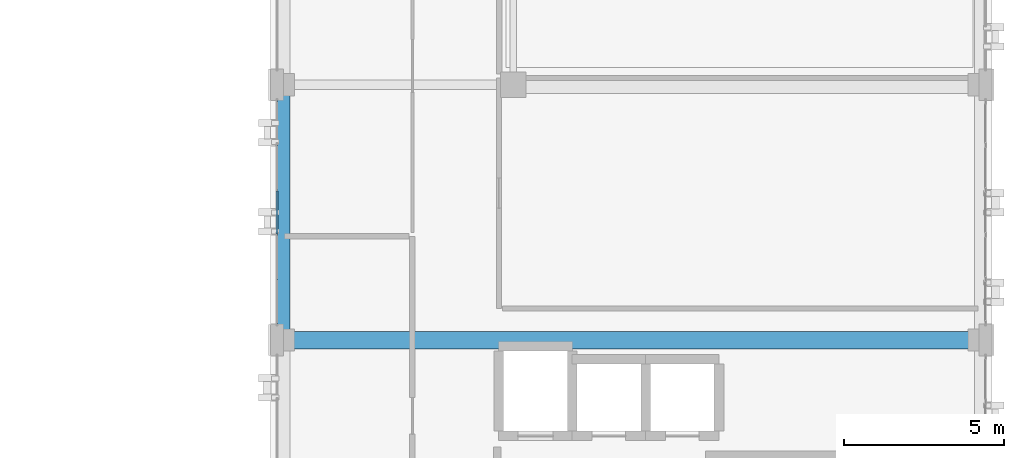
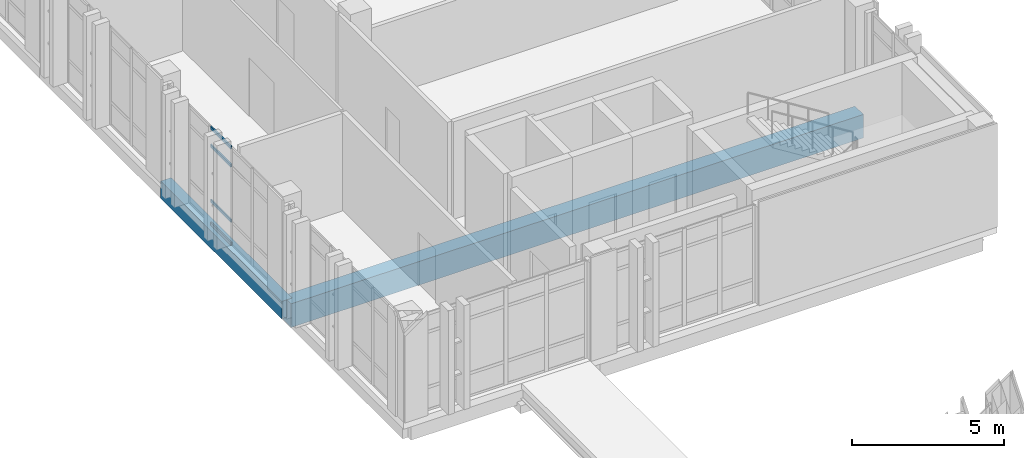
# One storey, part 56 of 158: 4 members, 2 beams, 1 element without a shape of its own.
"""IFC4 building model written with IfcOpenShell, lengths in metres."""

from ifc_helpers import new_model, si_unit, direction, frame, origin, origin_2d, place, context, subcontext, project, spatial, rectangle, hollow_rectangle, extrude, material, layer, layer_set, material_profile, profile_set, type_object, element, aggregate, save


model = new_model("IFC4")

# Units and contexts
model_context = context("Model", 3, precision=1e-05, world=origin(), true_north=direction((0.0, 1.0)))
body_context = subcontext(model_context, "Body", "Model", "MODEL_VIEW")
ifc_project = project(units=[si_unit("LENGTHUNIT", "METRE"), si_unit("AREAUNIT", "SQUARE_METRE"), si_unit("VOLUMEUNIT", "CUBIC_METRE"), si_unit("PLANEANGLEUNIT", "RADIAN"), si_unit("MASSUNIT", "GRAM", prefix="KILO")], contexts=[model_context])

# Site, building, storey
site_placement = place(None, origin())
site = spatial("IfcSite", under=ifc_project, at=site_placement, CompositionType="ELEMENT")
building_placement = place(site_placement, origin())
building = spatial("IfcBuilding", under=site, at=building_placement, Name="Qalavern Law Courts", CompositionType="ELEMENT")
storey_placement = place(building_placement, frame((0.0, 0.0, 18.60009765625)))
storey = spatial("IfcBuildingStorey", under=building, at=storey_placement, Name="L04", CompositionType="ELEMENT", Elevation=18.60009765625)

# Curtain wall, members
ifc_material_1 = material(Name="Anodised aluminium and insulated glazing", Category="aluminium")
ifc_layer = layer(ifc_material_1, 0.159912109375)
ifc_layer_set = layer_set([ifc_layer], Name="Anodised aluminium and insulated glazing")
curtain_wall_type = type_object("IfcCurtainWallType", Name="ENV-CW-CHAMB", PredefinedType="USERDEFINED", material=ifc_layer_set)
curtain_wall_placement = place(storey_placement, origin())
curtain_wall = element("IfcCurtainWall", 1, at=curtain_wall_placement, inside=storey, type_object=curtain_wall_type, Name="V4 unitised curtain wall L04 west 5", ObjectType="UNITISED CURTAIN WALL", PredefinedType="USERDEFINED")
ifc_material_2 = material(Name="Anodised aluminium", Category="aluminium")
ifc_material_profile_1 = material_profile(ifc_material_2, hollow_rectangle(XDim=0.048095703125, YDim=0.1201171875, WallThickness=0.00390625, at=origin_2d()), Name="ALU TRANSOM 48x120")
ifc_profile_set_1 = profile_set([ifc_material_profile_1], Name="Anodised aluminium")
member_type = type_object("IfcMemberType", Name="ENV-CWT-48x120", PredefinedType="USERDEFINED", material=ifc_profile_set_1)
member_1_placement = place(storey_placement, frame((84.39990234375, 54.075927734375, 0.02392578125), z_axis=(0.0, -1.0, 0.0), x_axis=(1.0, 0.0, 0.0)))
member_1 = element("IfcMember", 2, at=member_1_placement, type_object=member_type, Name="CW-04 transom 3.1", ObjectType="TRANSOM", PredefinedType="USERDEFINED", context=body_context, shape_type="SweptSolid", body=[
    extrude(hollow_rectangle(XDim=0.048095703125, YDim=0.1201171875, WallThickness=0.00390625, at=origin_2d()), origin(), (0.0, 0.0, 1.0), 1.351806640625),
])
member_2_placement = place(storey_placement, frame((84.39990234375, 54.075927734375, 0.949951171875), z_axis=(0.0, -1.0, 0.0), x_axis=(1.0, 0.0, 0.0)))
member_2 = element("IfcMember", 3, at=member_2_placement, type_object=member_type, Name="CW-04 transom 3.2", ObjectType="TRANSOM", PredefinedType="USERDEFINED", context=body_context, shape_type="SweptSolid", body=[
    extrude(hollow_rectangle(XDim=0.048095703125, YDim=0.1201171875, WallThickness=0.00390625, at=origin_2d()), origin(), (0.0, 0.0, 1.0), 1.351806640625),
])
member_3_placement = place(storey_placement, frame((84.39990234375, 54.075927734375, 3.1748046875), z_axis=(0.0, -1.0, 0.0), x_axis=(1.0, 0.0, 0.0)))
member_3 = element("IfcMember", 4, at=member_3_placement, type_object=member_type, Name="CW-04 transom 3.3", ObjectType="TRANSOM", PredefinedType="USERDEFINED", context=body_context, shape_type="SweptSolid", body=[
    extrude(hollow_rectangle(XDim=0.048095703125, YDim=0.1201171875, WallThickness=0.00390625, at=origin_2d()), origin(), (0.0, 0.0, 1.0), 1.351806640625),
])
member_4_placement = place(storey_placement, frame((84.39990234375, 54.075927734375, 3.90087890625), z_axis=(0.0, -1.0, 0.0), x_axis=(1.0, 0.0, 0.0)))
member_4 = element("IfcMember", 5, at=member_4_placement, type_object=member_type, Name="CW-04 transom 3.4", ObjectType="TRANSOM", PredefinedType="USERDEFINED", context=body_context, shape_type="SweptSolid", body=[
    extrude(hollow_rectangle(XDim=0.048095703125, YDim=0.1201171875, WallThickness=0.00390625, at=origin_2d()), origin(), (0.0, 0.0, 1.0), 1.351806640625),
])
aggregate(curtain_wall, [member_1, member_2, member_3, member_4])

# Beams
ifc_material_3 = material(Name="Concrete C40/50", Category="concrete")
ifc_material_profile_2 = material_profile(ifc_material_3, rectangle(XDim=0.550048828125, YDim=0.949951171875, at=origin_2d()), Name="RC 550x950")
ifc_profile_set_2 = profile_set([ifc_material_profile_2], Name="Concrete C40/50")
beam_type_1 = type_object("IfcBeamType", Name="STR-BM-RC550x950", PredefinedType="BEAM", material=ifc_profile_set_2)
beam_1_placement = place(storey_placement, frame((84.60009765625, 49.39990234375, -0.755126953125), z_axis=(1.0, 0.0, 0.0), x_axis=(0.0, 1.0, 0.0)))
element("IfcBeam", 6, at=beam_1_placement, inside=storey, type_object=beam_type_1, Name="V4 X-beam 2-1 L04", PredefinedType="BEAM", context=body_context, shape_type="SweptSolid", body=[
    extrude(rectangle(XDim=0.550048828125, YDim=0.949951171875, at=origin_2d()), origin(), (0.0, 0.0, 1.0), 21.7998046875),
])
ifc_material_profile_3 = material_profile(ifc_material_3, rectangle(XDim=0.39990234375, YDim=0.699951171875, at=origin_2d()), Name="RC 400x700")
ifc_profile_set_3 = profile_set([ifc_material_profile_3], Name="Concrete C40/50")
beam_type_2 = type_object("IfcBeamType", Name="STR-SP-RC400x700", PredefinedType="SPANDREL", material=ifc_profile_set_3)
beam_2_placement = place(storey_placement, frame((84.60009765625, 49.39990234375, -0.630126953125), z_axis=(0.0, 1.0, 0.0), x_axis=(-1.0, 0.0, 0.0)))
element("IfcBeam", 7, at=beam_2_placement, inside=storey, type_object=beam_type_2, Name="V4 Y-beam 1-2 L04", PredefinedType="SPANDREL", context=body_context, shape_type="SweptSolid", body=[
    extrude(rectangle(XDim=0.39990234375, YDim=0.699951171875, at=origin_2d()), origin(), (0.0, 0.0, 1.0), 8.0),
])

save(model, "model.ifc")
